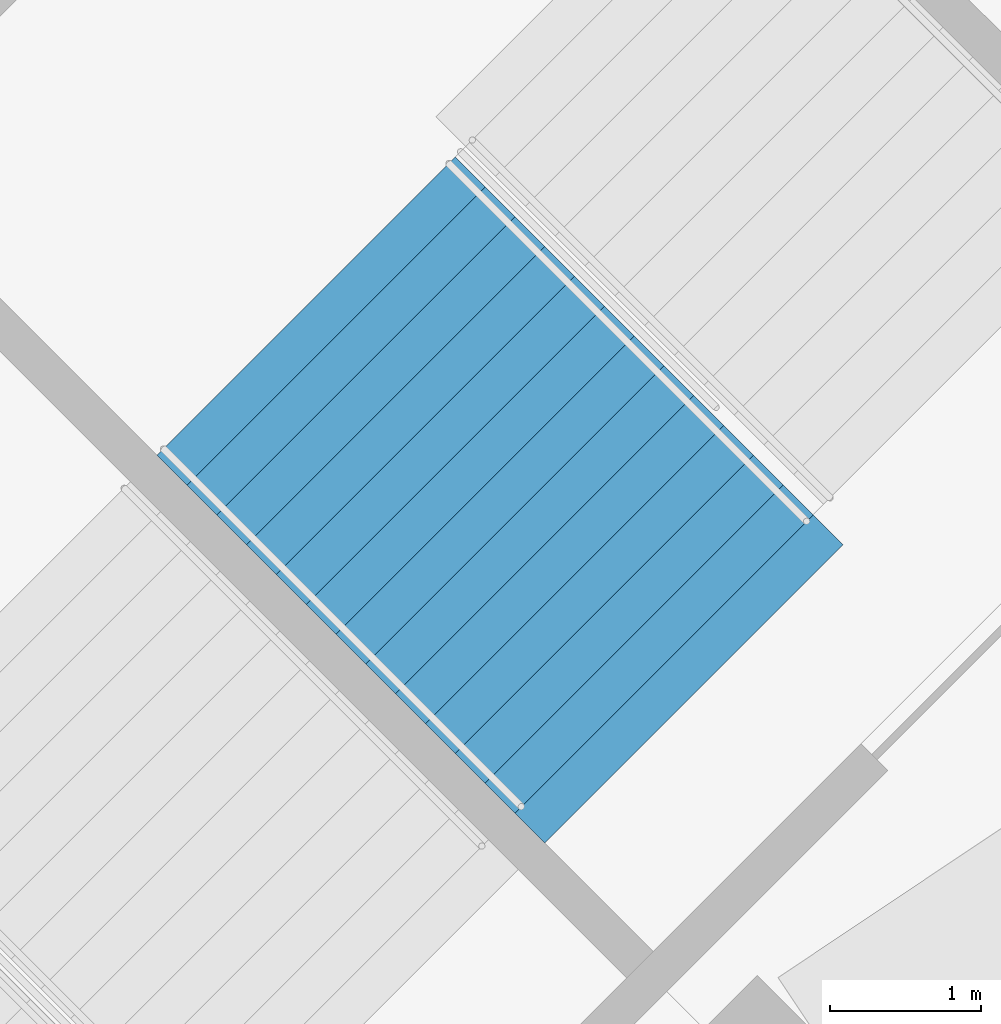
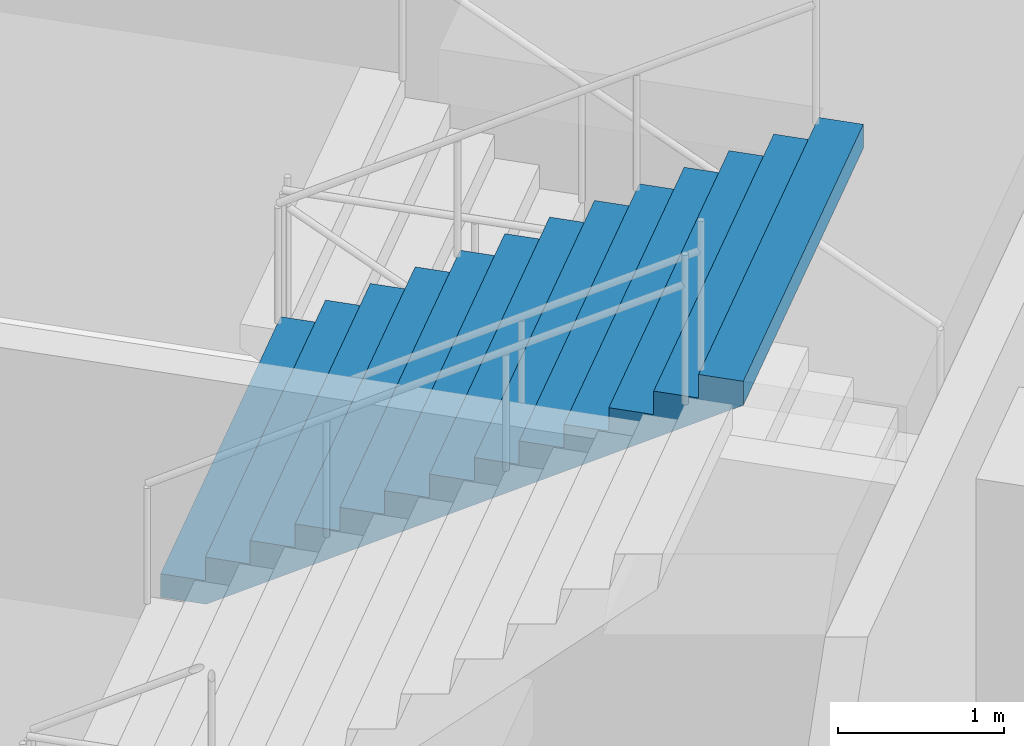
# One storey, part 117 of 175: 1 stair flight, 1 element without a shape of its own.
"""IFC4 building model written with IfcOpenShell, lengths in metres."""

from ifc_helpers import new_model, si_unit, direction, frame, origin, place, context, subcontext, project, spatial, faceted_brep, material, type_object, element, aggregate, save


model = new_model("IFC4")

# Units and contexts
model_context = context("Model", 3, precision=1e-05, world=origin(), true_north=direction((0.0, 1.0)))
body_context = subcontext(model_context, "Body", "Model", "MODEL_VIEW")
ifc_project = project(units=[si_unit("LENGTHUNIT", "METRE"), si_unit("AREAUNIT", "SQUARE_METRE"), si_unit("VOLUMEUNIT", "CUBIC_METRE"), si_unit("PLANEANGLEUNIT", "RADIAN"), si_unit("MASSUNIT", "GRAM", prefix="KILO")], contexts=[model_context])

# Site, building, storey
site_placement = place(None, origin())
site = spatial("IfcSite", under=ifc_project, at=site_placement, CompositionType="ELEMENT")
building_placement = place(site_placement, origin())
building = spatial("IfcBuilding", under=site, at=building_placement, Name="Ogive Plaza Stadium", CompositionType="ELEMENT")
storey_placement = place(building_placement, origin())
storey = spatial("IfcBuildingStorey", under=building, at=storey_placement, Name="L00", CompositionType="ELEMENT", Elevation=0.0)

# Stair, stair flight
ifc_material_1 = material(Name="Concrete C40/50", Category="concrete")
stair_type = type_object("IfcStairType", Name="Exit stair", PredefinedType="STRAIGHT_RUN_STAIR", material=ifc_material_1)
stair_placement = place(storey_placement, origin())
stair = element("IfcStair", 1, at=stair_placement, inside=storey, type_object=stair_type, Name="Exit stair ST30A L00 to L01", PredefinedType="STRAIGHT_RUN_STAIR")
ifc_material_2 = material(Name="Concrete C40/50", Category="concrete")
stair_flight_type = type_object("IfcStairFlightType", Name="Exit stair flight", PredefinedType="STRAIGHT", material=ifc_material_2)
stair_flight_placement = place(storey_placement, frame((-65.243408203125, 85.900146484375, 2.25), z_axis=(0.0, 0.0, 1.0), x_axis=(0.707106781187, -0.707106781187, 0.0)))
stair_flight = element("IfcStairFlight", 2, at=stair_flight_placement, type_object=stair_flight_type, Name="ST30A flight 2", NumberOfRisers=13, NumberOfTreads=12, PredefinedType="STRAIGHT", RiserHeight=0.173076923, TreadLength=0.28, context=body_context, shape_type="Brep", body=[
    faceted_brep([(0.28515625, -1.39990234375, 0.0), (3.639892578125, -1.39990234375, 2.07373046875), (3.639892578125, -1.39990234375, 2.25), (3.360107421875, -1.39990234375, 2.25), (3.360107421875, -1.39990234375, 2.076904296875), (3.080078125, -1.39990234375, 2.076904296875), (3.080078125, -1.39990234375, 1.90380859375), (2.800048828125, -1.39990234375, 1.90380859375), (2.800048828125, -1.39990234375, 1.730712890625), (2.52001953125, -1.39990234375, 1.730712890625), (2.52001953125, -1.39990234375, 1.5576171875), (2.239990234375, -1.39990234375, 1.5576171875), (2.239990234375, -1.39990234375, 1.384521484375), (1.9599609375, -1.39990234375, 1.384521484375), (1.9599609375, -1.39990234375, 1.21142578125), (1.679931640625, -1.39990234375, 1.21142578125), (1.679931640625, -1.39990234375, 1.03857421875), (1.39990234375, -1.39990234375, 1.03857421875), (1.39990234375, -1.39990234375, 0.865478515625), (1.1201171875, -1.39990234375, 0.865478515625), (1.1201171875, -1.39990234375, 0.6923828125), (0.840087890625, -1.39990234375, 0.6923828125), (0.840087890625, -1.39990234375, 0.519287109375), (0.56005859375, -1.39990234375, 0.519287109375), (0.56005859375, -1.39990234375, 0.34619140625), (0.280029296875, -1.39990234375, 0.34619140625), (0.280029296875, -1.39990234375, 0.173095703125), (0.0, -1.39990234375, 0.173095703125), (0.0, -1.39990234375, 0.0), (0.0, 1.39990234375, 0.0), (0.0, 1.39990234375, 0.173095703125), (0.280029296875, 1.39990234375, 0.173095703125), (0.280029296875, 1.39990234375, 0.34619140625), (0.56005859375, 1.39990234375, 0.34619140625), (0.56005859375, 1.39990234375, 0.519287109375), (0.840087890625, 1.39990234375, 0.519287109375), (0.840087890625, 1.39990234375, 0.6923828125), (1.1201171875, 1.39990234375, 0.6923828125), (1.1201171875, 1.39990234375, 0.865478515625), (1.39990234375, 1.39990234375, 0.865478515625), (1.39990234375, 1.39990234375, 1.03857421875), (1.679931640625, 1.39990234375, 1.03857421875), (1.679931640625, 1.39990234375, 1.21142578125), (1.9599609375, 1.39990234375, 1.21142578125), (1.9599609375, 1.39990234375, 1.384521484375), (2.239990234375, 1.39990234375, 1.384521484375), (2.239990234375, 1.39990234375, 1.5576171875), (2.52001953125, 1.39990234375, 1.5576171875), (2.52001953125, 1.39990234375, 1.730712890625), (2.800048828125, 1.39990234375, 1.730712890625), (2.800048828125, 1.39990234375, 1.90380859375), (3.080078125, 1.39990234375, 1.90380859375), (3.080078125, 1.39990234375, 2.076904296875), (3.360107421875, 1.39990234375, 2.076904296875), (3.360107421875, 1.39990234375, 2.25), (3.639892578125, 1.39990234375, 2.25), (3.639892578125, 1.39990234375, 2.07373046875), (0.28515625, 1.39990234375, 0.0), (0.28515625, -1.0888671875, 0.0), (3.639892578125, -1.0888671875, 2.07373046875), (0.28515625, -0.77783203125, 0.0), (3.639892578125, -0.77783203125, 2.07373046875), (0.28515625, -0.466796875, 0.0), (3.639892578125, -0.466796875, 2.07373046875), (0.28515625, -0.155517578125, 0.0), (3.639892578125, -0.155517578125, 2.07373046875), (0.28515625, 0.155517578125, 0.0), (3.639892578125, 0.155517578125, 2.07373046875), (0.28515625, 0.466796875, 0.0), (3.639892578125, 0.466796875, 2.07373046875), (0.28515625, 0.77783203125, 0.0), (3.639892578125, 0.77783203125, 2.07373046875), (0.28515625, 1.0888671875, 0.0), (3.639892578125, 1.0888671875, 2.07373046875), (3.639892578125, -1.0888671875, 2.25), (3.639892578125, -0.77783203125, 2.25), (3.639892578125, -0.466796875, 2.25), (3.639892578125, -0.155517578125, 2.25), (3.639892578125, 0.155517578125, 2.25), (3.639892578125, 0.466796875, 2.25), (3.639892578125, 0.77783203125, 2.25), (3.639892578125, 1.0888671875, 2.25), (3.360107421875, -1.0888671875, 2.25), (3.360107421875, -0.77783203125, 2.25), (3.360107421875, -0.466796875, 2.25), (3.360107421875, -0.155517578125, 2.25), (3.360107421875, 0.155517578125, 2.25), (3.360107421875, 0.466796875, 2.25), (3.360107421875, 0.77783203125, 2.25), (3.360107421875, 1.0888671875, 2.25), (3.360107421875, -1.0888671875, 2.076904296875), (3.360107421875, -0.77783203125, 2.076904296875), (3.360107421875, -0.466796875, 2.076904296875), (3.360107421875, -0.155517578125, 2.076904296875), (3.360107421875, 0.155517578125, 2.076904296875), (3.360107421875, 0.466796875, 2.076904296875), (3.360107421875, 0.77783203125, 2.076904296875), (3.360107421875, 1.0888671875, 2.076904296875), (3.080078125, -1.0888671875, 2.076904296875), (3.080078125, -0.77783203125, 2.076904296875), (3.080078125, -0.466796875, 2.076904296875), (3.080078125, -0.155517578125, 2.076904296875), (3.080078125, 0.155517578125, 2.076904296875), (3.080078125, 0.466796875, 2.076904296875), (3.080078125, 0.77783203125, 2.076904296875), (3.080078125, 1.0888671875, 2.076904296875), (3.080078125, -1.0888671875, 1.90380859375), (3.080078125, -0.77783203125, 1.90380859375), (3.080078125, -0.466796875, 1.90380859375), (3.080078125, -0.155517578125, 1.90380859375), (3.080078125, 0.155517578125, 1.90380859375), (3.080078125, 0.466796875, 1.90380859375), (3.080078125, 0.77783203125, 1.90380859375), (3.080078125, 1.0888671875, 1.90380859375), (2.800048828125, -1.0888671875, 1.90380859375), (2.800048828125, -0.77783203125, 1.90380859375), (2.800048828125, -0.466796875, 1.90380859375), (2.800048828125, -0.155517578125, 1.90380859375), (2.800048828125, 0.155517578125, 1.90380859375), (2.800048828125, 0.466796875, 1.90380859375), (2.800048828125, 0.77783203125, 1.90380859375), (2.800048828125, 1.0888671875, 1.90380859375), (2.800048828125, -1.0888671875, 1.730712890625), (2.800048828125, -0.77783203125, 1.730712890625), (2.800048828125, -0.466796875, 1.730712890625), (2.800048828125, -0.155517578125, 1.730712890625), (2.800048828125, 0.155517578125, 1.730712890625), (2.800048828125, 0.466796875, 1.730712890625), (2.800048828125, 0.77783203125, 1.730712890625), (2.800048828125, 1.0888671875, 1.730712890625), (2.52001953125, -1.0888671875, 1.730712890625), (2.52001953125, -0.77783203125, 1.730712890625), (2.52001953125, -0.466796875, 1.730712890625), (2.52001953125, -0.155517578125, 1.730712890625), (2.52001953125, 0.155517578125, 1.730712890625), (2.52001953125, 0.466796875, 1.730712890625), (2.52001953125, 0.77783203125, 1.730712890625), (2.52001953125, 1.0888671875, 1.730712890625), (2.52001953125, -1.0888671875, 1.5576171875), (2.52001953125, -0.77783203125, 1.5576171875), (2.52001953125, -0.466796875, 1.5576171875), (2.52001953125, -0.155517578125, 1.5576171875), (2.52001953125, 0.155517578125, 1.5576171875), (2.52001953125, 0.466796875, 1.5576171875), (2.52001953125, 0.77783203125, 1.5576171875), (2.52001953125, 1.0888671875, 1.5576171875), (2.239990234375, -1.0888671875, 1.5576171875), (2.239990234375, -0.77783203125, 1.5576171875), (2.239990234375, -0.466796875, 1.5576171875), (2.239990234375, -0.155517578125, 1.5576171875), (2.239990234375, 0.155517578125, 1.5576171875), (2.239990234375, 0.466796875, 1.5576171875), (2.239990234375, 0.77783203125, 1.5576171875), (2.239990234375, 1.0888671875, 1.5576171875), (2.239990234375, -1.0888671875, 1.384521484375), (2.239990234375, -0.77783203125, 1.384521484375), (2.239990234375, -0.466796875, 1.384521484375), (2.239990234375, -0.155517578125, 1.384521484375), (2.239990234375, 0.155517578125, 1.384521484375), (2.239990234375, 0.466796875, 1.384521484375), (2.239990234375, 0.77783203125, 1.384521484375), (2.239990234375, 1.0888671875, 1.384521484375), (1.9599609375, -1.0888671875, 1.384521484375), (1.9599609375, -0.77783203125, 1.384521484375), (1.9599609375, -0.466796875, 1.384521484375), (1.9599609375, -0.155517578125, 1.384521484375), (1.9599609375, 0.155517578125, 1.384521484375), (1.9599609375, 0.466796875, 1.384521484375), (1.9599609375, 0.77783203125, 1.384521484375), (1.9599609375, 1.0888671875, 1.384521484375), (1.9599609375, -1.0888671875, 1.21142578125), (1.9599609375, -0.77783203125, 1.21142578125), (1.9599609375, -0.466796875, 1.21142578125), (1.9599609375, -0.155517578125, 1.21142578125), (1.9599609375, 0.155517578125, 1.21142578125), (1.9599609375, 0.466796875, 1.21142578125), (1.9599609375, 0.77783203125, 1.21142578125), (1.9599609375, 1.0888671875, 1.21142578125), (1.679931640625, -1.0888671875, 1.21142578125), (1.679931640625, -0.77783203125, 1.21142578125), (1.679931640625, -0.466796875, 1.21142578125), (1.679931640625, -0.155517578125, 1.21142578125), (1.679931640625, 0.155517578125, 1.21142578125), (1.679931640625, 0.466796875, 1.21142578125), (1.679931640625, 0.77783203125, 1.21142578125), (1.679931640625, 1.0888671875, 1.21142578125), (1.679931640625, -1.0888671875, 1.03857421875), (1.679931640625, -0.77783203125, 1.03857421875), (1.679931640625, -0.466796875, 1.03857421875), (1.679931640625, -0.155517578125, 1.03857421875), (1.679931640625, 0.155517578125, 1.03857421875), (1.679931640625, 0.466796875, 1.03857421875), (1.679931640625, 0.77783203125, 1.03857421875), (1.679931640625, 1.0888671875, 1.03857421875), (1.39990234375, -1.0888671875, 1.03857421875), (1.39990234375, -0.77783203125, 1.03857421875), (1.39990234375, -0.466796875, 1.03857421875), (1.39990234375, -0.155517578125, 1.03857421875), (1.39990234375, 0.155517578125, 1.03857421875), (1.39990234375, 0.466796875, 1.03857421875), (1.39990234375, 0.77783203125, 1.03857421875), (1.39990234375, 1.0888671875, 1.03857421875), (1.39990234375, -1.0888671875, 0.865478515625), (1.39990234375, -0.77783203125, 0.865478515625), (1.39990234375, -0.466796875, 0.865478515625), (1.39990234375, -0.155517578125, 0.865478515625), (1.39990234375, 0.155517578125, 0.865478515625), (1.39990234375, 0.466796875, 0.865478515625), (1.39990234375, 0.77783203125, 0.865478515625), (1.39990234375, 1.0888671875, 0.865478515625), (1.1201171875, -1.0888671875, 0.865478515625), (1.1201171875, -0.77783203125, 0.865478515625), (1.1201171875, -0.466796875, 0.865478515625), (1.1201171875, -0.155517578125, 0.865478515625), (1.1201171875, 0.155517578125, 0.865478515625), (1.1201171875, 0.466796875, 0.865478515625), (1.1201171875, 0.77783203125, 0.865478515625), (1.1201171875, 1.0888671875, 0.865478515625), (1.1201171875, -1.0888671875, 0.6923828125), (1.1201171875, -0.77783203125, 0.6923828125), (1.1201171875, -0.466796875, 0.6923828125), (1.1201171875, -0.155517578125, 0.6923828125), (1.1201171875, 0.155517578125, 0.6923828125), (1.1201171875, 0.466796875, 0.6923828125), (1.1201171875, 0.77783203125, 0.6923828125), (1.1201171875, 1.0888671875, 0.6923828125), (0.840087890625, -1.0888671875, 0.6923828125), (0.840087890625, -0.77783203125, 0.6923828125), (0.840087890625, -0.466796875, 0.6923828125), (0.840087890625, -0.155517578125, 0.6923828125), (0.840087890625, 0.155517578125, 0.6923828125), (0.840087890625, 0.466796875, 0.6923828125), (0.840087890625, 0.77783203125, 0.6923828125), (0.840087890625, 1.0888671875, 0.6923828125), (0.840087890625, -1.0888671875, 0.519287109375), (0.840087890625, -0.77783203125, 0.519287109375), (0.840087890625, -0.466796875, 0.519287109375), (0.840087890625, -0.155517578125, 0.519287109375), (0.840087890625, 0.155517578125, 0.519287109375), (0.840087890625, 0.466796875, 0.519287109375), (0.840087890625, 0.77783203125, 0.519287109375), (0.840087890625, 1.0888671875, 0.519287109375), (0.56005859375, -1.0888671875, 0.519287109375), (0.56005859375, -0.77783203125, 0.519287109375), (0.56005859375, -0.466796875, 0.519287109375), (0.56005859375, -0.155517578125, 0.519287109375), (0.56005859375, 0.155517578125, 0.519287109375), (0.56005859375, 0.466796875, 0.519287109375), (0.56005859375, 0.77783203125, 0.519287109375), (0.56005859375, 1.0888671875, 0.519287109375), (0.56005859375, -1.0888671875, 0.34619140625), (0.56005859375, -0.77783203125, 0.34619140625), (0.56005859375, -0.466796875, 0.34619140625), (0.56005859375, -0.155517578125, 0.34619140625), (0.56005859375, 0.155517578125, 0.34619140625), (0.56005859375, 0.466796875, 0.34619140625), (0.56005859375, 0.77783203125, 0.34619140625), (0.56005859375, 1.0888671875, 0.34619140625), (0.280029296875, -1.0888671875, 0.34619140625), (0.280029296875, -0.77783203125, 0.34619140625), (0.280029296875, -0.466796875, 0.34619140625), (0.280029296875, -0.155517578125, 0.34619140625), (0.280029296875, 0.155517578125, 0.34619140625), (0.280029296875, 0.466796875, 0.34619140625), (0.280029296875, 0.77783203125, 0.34619140625), (0.280029296875, 1.0888671875, 0.34619140625), (0.280029296875, -1.0888671875, 0.173095703125), (0.280029296875, -0.77783203125, 0.173095703125), (0.280029296875, -0.466796875, 0.173095703125), (0.280029296875, -0.155517578125, 0.173095703125), (0.280029296875, 0.155517578125, 0.173095703125), (0.280029296875, 0.466796875, 0.173095703125), (0.280029296875, 0.77783203125, 0.173095703125), (0.280029296875, 1.0888671875, 0.173095703125), (0.0, -1.0888671875, 0.173095703125), (0.0, -0.77783203125, 0.173095703125), (0.0, -0.466796875, 0.173095703125), (0.0, -0.155517578125, 0.173095703125), (0.0, 0.155517578125, 0.173095703125), (0.0, 0.466796875, 0.173095703125), (0.0, 0.77783203125, 0.173095703125), (0.0, 1.0888671875, 0.173095703125), (0.0, -1.0888671875, 0.0), (0.0, -0.77783203125, 0.0), (0.0, -0.466796875, 0.0), (0.0, -0.155517578125, 0.0), (0.0, 0.155517578125, 0.0), (0.0, 0.466796875, 0.0), (0.0, 0.77783203125, 0.0), (0.0, 1.0888671875, 0.0)], [[[0, 1, 2, 3, 4, 5, 6, 7, 8, 9, 10, 11, 12, 13, 14, 15, 16, 17, 18, 19, 20, 21, 22, 23, 24, 25, 26, 27, 28]], [[29, 30, 31, 32, 33, 34, 35, 36, 37, 38, 39, 40, 41, 42, 43, 44, 45, 46, 47, 48, 49, 50, 51, 52, 53, 54, 55, 56, 57]], [[0, 58, 59, 1]], [[58, 60, 61, 59]], [[60, 62, 63, 61]], [[62, 64, 65, 63]], [[64, 66, 67, 65]], [[66, 68, 69, 67]], [[68, 70, 71, 69]], [[70, 72, 73, 71]], [[72, 57, 56, 73]], [[1, 59, 74, 2]], [[59, 61, 75, 74]], [[61, 63, 76, 75]], [[63, 65, 77, 76]], [[65, 67, 78, 77]], [[67, 69, 79, 78]], [[69, 71, 80, 79]], [[71, 73, 81, 80]], [[73, 56, 55, 81]], [[2, 74, 82, 3]], [[74, 75, 83, 82]], [[75, 76, 84, 83]], [[76, 77, 85, 84]], [[77, 78, 86, 85]], [[78, 79, 87, 86]], [[79, 80, 88, 87]], [[80, 81, 89, 88]], [[81, 55, 54, 89]], [[3, 82, 90, 4]], [[82, 83, 91, 90]], [[83, 84, 92, 91]], [[84, 85, 93, 92]], [[85, 86, 94, 93]], [[86, 87, 95, 94]], [[87, 88, 96, 95]], [[88, 89, 97, 96]], [[89, 54, 53, 97]], [[4, 90, 98, 5]], [[90, 91, 99, 98]], [[91, 92, 100, 99]], [[92, 93, 101, 100]], [[93, 94, 102, 101]], [[94, 95, 103, 102]], [[95, 96, 104, 103]], [[96, 97, 105, 104]], [[97, 53, 52, 105]], [[5, 98, 106, 6]], [[98, 99, 107, 106]], [[99, 100, 108, 107]], [[100, 101, 109, 108]], [[101, 102, 110, 109]], [[102, 103, 111, 110]], [[103, 104, 112, 111]], [[104, 105, 113, 112]], [[105, 52, 51, 113]], [[6, 106, 114, 7]], [[106, 107, 115, 114]], [[107, 108, 116, 115]], [[108, 109, 117, 116]], [[109, 110, 118, 117]], [[110, 111, 119, 118]], [[111, 112, 120, 119]], [[112, 113, 121, 120]], [[113, 51, 50, 121]], [[7, 114, 122, 8]], [[114, 115, 123, 122]], [[115, 116, 124, 123]], [[116, 117, 125, 124]], [[117, 118, 126, 125]], [[118, 119, 127, 126]], [[119, 120, 128, 127]], [[120, 121, 129, 128]], [[121, 50, 49, 129]], [[8, 122, 130, 9]], [[122, 123, 131, 130]], [[123, 124, 132, 131]], [[124, 125, 133, 132]], [[125, 126, 134, 133]], [[126, 127, 135, 134]], [[127, 128, 136, 135]], [[128, 129, 137, 136]], [[129, 49, 48, 137]], [[9, 130, 138, 10]], [[130, 131, 139, 138]], [[131, 132, 140, 139]], [[132, 133, 141, 140]], [[133, 134, 142, 141]], [[134, 135, 143, 142]], [[135, 136, 144, 143]], [[136, 137, 145, 144]], [[137, 48, 47, 145]], [[10, 138, 146, 11]], [[138, 139, 147, 146]], [[139, 140, 148, 147]], [[140, 141, 149, 148]], [[141, 142, 150, 149]], [[142, 143, 151, 150]], [[143, 144, 152, 151]], [[144, 145, 153, 152]], [[145, 47, 46, 153]], [[11, 146, 154, 12]], [[146, 147, 155, 154]], [[147, 148, 156, 155]], [[148, 149, 157, 156]], [[149, 150, 158, 157]], [[150, 151, 159, 158]], [[151, 152, 160, 159]], [[152, 153, 161, 160]], [[153, 46, 45, 161]], [[12, 154, 162, 13]], [[154, 155, 163, 162]], [[155, 156, 164, 163]], [[156, 157, 165, 164]], [[157, 158, 166, 165]], [[158, 159, 167, 166]], [[159, 160, 168, 167]], [[160, 161, 169, 168]], [[161, 45, 44, 169]], [[13, 162, 170, 14]], [[162, 163, 171, 170]], [[163, 164, 172, 171]], [[164, 165, 173, 172]], [[165, 166, 174, 173]], [[166, 167, 175, 174]], [[167, 168, 176, 175]], [[168, 169, 177, 176]], [[169, 44, 43, 177]], [[14, 170, 178, 15]], [[170, 171, 179, 178]], [[171, 172, 180, 179]], [[172, 173, 181, 180]], [[173, 174, 182, 181]], [[174, 175, 183, 182]], [[175, 176, 184, 183]], [[176, 177, 185, 184]], [[177, 43, 42, 185]], [[15, 178, 186, 16]], [[178, 179, 187, 186]], [[179, 180, 188, 187]], [[180, 181, 189, 188]], [[181, 182, 190, 189]], [[182, 183, 191, 190]], [[183, 184, 192, 191]], [[184, 185, 193, 192]], [[185, 42, 41, 193]], [[16, 186, 194, 17]], [[186, 187, 195, 194]], [[187, 188, 196, 195]], [[188, 189, 197, 196]], [[189, 190, 198, 197]], [[190, 191, 199, 198]], [[191, 192, 200, 199]], [[192, 193, 201, 200]], [[193, 41, 40, 201]], [[17, 194, 202, 18]], [[194, 195, 203, 202]], [[195, 196, 204, 203]], [[196, 197, 205, 204]], [[197, 198, 206, 205]], [[198, 199, 207, 206]], [[199, 200, 208, 207]], [[200, 201, 209, 208]], [[201, 40, 39, 209]], [[18, 202, 210, 19]], [[202, 203, 211, 210]], [[203, 204, 212, 211]], [[204, 205, 213, 212]], [[205, 206, 214, 213]], [[206, 207, 215, 214]], [[207, 208, 216, 215]], [[208, 209, 217, 216]], [[209, 39, 38, 217]], [[19, 210, 218, 20]], [[210, 211, 219, 218]], [[211, 212, 220, 219]], [[212, 213, 221, 220]], [[213, 214, 222, 221]], [[214, 215, 223, 222]], [[215, 216, 224, 223]], [[216, 217, 225, 224]], [[217, 38, 37, 225]], [[20, 218, 226, 21]], [[218, 219, 227, 226]], [[219, 220, 228, 227]], [[220, 221, 229, 228]], [[221, 222, 230, 229]], [[222, 223, 231, 230]], [[223, 224, 232, 231]], [[224, 225, 233, 232]], [[225, 37, 36, 233]], [[21, 226, 234, 22]], [[226, 227, 235, 234]], [[227, 228, 236, 235]], [[228, 229, 237, 236]], [[229, 230, 238, 237]], [[230, 231, 239, 238]], [[231, 232, 240, 239]], [[232, 233, 241, 240]], [[233, 36, 35, 241]], [[22, 234, 242, 23]], [[234, 235, 243, 242]], [[235, 236, 244, 243]], [[236, 237, 245, 244]], [[237, 238, 246, 245]], [[238, 239, 247, 246]], [[239, 240, 248, 247]], [[240, 241, 249, 248]], [[241, 35, 34, 249]], [[23, 242, 250, 24]], [[242, 243, 251, 250]], [[243, 244, 252, 251]], [[244, 245, 253, 252]], [[245, 246, 254, 253]], [[246, 247, 255, 254]], [[247, 248, 256, 255]], [[248, 249, 257, 256]], [[249, 34, 33, 257]], [[24, 250, 258, 25]], [[250, 251, 259, 258]], [[251, 252, 260, 259]], [[252, 253, 261, 260]], [[253, 254, 262, 261]], [[254, 255, 263, 262]], [[255, 256, 264, 263]], [[256, 257, 265, 264]], [[257, 33, 32, 265]], [[25, 258, 266, 26]], [[258, 259, 267, 266]], [[259, 260, 268, 267]], [[260, 261, 269, 268]], [[261, 262, 270, 269]], [[262, 263, 271, 270]], [[263, 264, 272, 271]], [[264, 265, 273, 272]], [[265, 32, 31, 273]], [[26, 266, 274, 27]], [[266, 267, 275, 274]], [[267, 268, 276, 275]], [[268, 269, 277, 276]], [[269, 270, 278, 277]], [[270, 271, 279, 278]], [[271, 272, 280, 279]], [[272, 273, 281, 280]], [[273, 31, 30, 281]], [[27, 274, 282, 28]], [[274, 275, 283, 282]], [[275, 276, 284, 283]], [[276, 277, 285, 284]], [[277, 278, 286, 285]], [[278, 279, 287, 286]], [[279, 280, 288, 287]], [[280, 281, 289, 288]], [[281, 30, 29, 289]], [[28, 282, 58, 0]], [[282, 283, 60, 58]], [[283, 284, 62, 60]], [[284, 285, 64, 62]], [[285, 286, 66, 64]], [[286, 287, 68, 66]], [[287, 288, 70, 68]], [[288, 289, 72, 70]], [[289, 29, 57, 72]]]),
])
aggregate(stair, [stair_flight])

save(model, "model.ifc")
